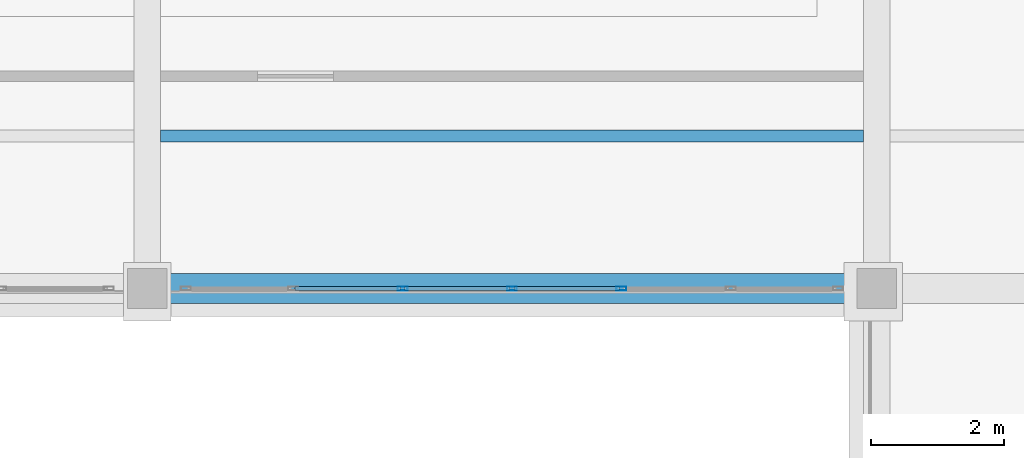
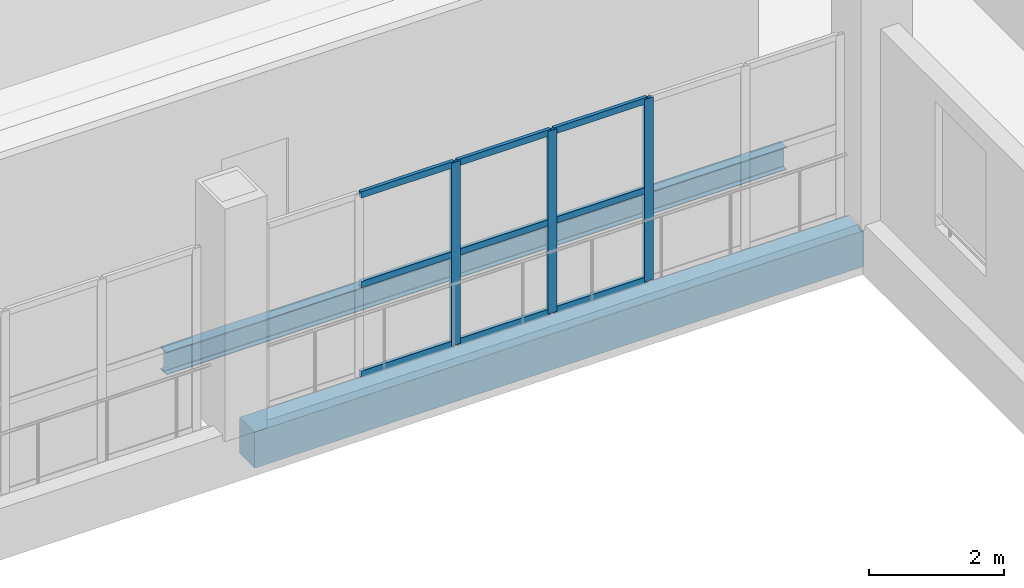
# One storey, part 67 of 120: 12 members, 2 beams, 1 element without a shape of its own.
"""IFC4 building model written with IfcOpenShell, lengths in metres."""

from ifc_helpers import new_model, si_unit, direction, frame, origin, origin_2d, place, context, subcontext, project, spatial, rectangle, hollow_rectangle, i_section, extrude, material, material_profile, profile_set, type_object, element, aggregate, save


model = new_model("IFC4")

# Units and contexts
model_context = context("Model", 3, precision=1e-05, world=origin(), true_north=direction((0.0, 1.0)))
body_context = subcontext(model_context, "Body", "Model", "MODEL_VIEW")
ifc_project = project(units=[si_unit("LENGTHUNIT", "METRE"), si_unit("AREAUNIT", "SQUARE_METRE"), si_unit("VOLUMEUNIT", "CUBIC_METRE"), si_unit("PLANEANGLEUNIT", "RADIAN"), si_unit("MASSUNIT", "GRAM", prefix="KILO")], contexts=[model_context])

# Site, building, storey
site_placement = place(None, origin())
site = spatial("IfcSite", under=ifc_project, at=site_placement, CompositionType="ELEMENT")
building_placement = place(site_placement, origin())
building = spatial("IfcBuilding", under=site, at=building_placement, Name="Caurita Quay Ferry Terminal", CompositionType="ELEMENT")
storey_placement = place(building_placement, frame((0.0, 0.0, 9.89990234375)))
storey = spatial("IfcBuildingStorey", under=building, at=storey_placement, Name="L02", CompositionType="ELEMENT", Elevation=9.89990234375)

# Beams
ifc_material_1 = material(Name="Structural steel ASTM A992 Gr. 50", Category="steel")
ifc_material_profile_1 = material_profile(ifc_material_1, i_section(OverallWidth=0.1787109375, OverallDepth=0.408935546875, WebThickness=0.0087890625, FlangeThickness=0.014404296875, FilletRadius=0.011474609375, at=origin_2d()), Name="W16X45")
ifc_profile_set_1 = profile_set([ifc_material_profile_1], Name="Structural steel ASTM A992 Gr. 50")
beam_type_1 = type_object("IfcBeamType", Name="BM-JS-W16A", PredefinedType="JOIST", material=ifc_profile_set_1)
beam_1_placement = place(storey_placement, frame((55.199951171875, 110.10009765625, -0.42431640625), z_axis=(1.0, 0.0, 0.0), x_axis=(0.0, 1.0, 0.0)))
element("IfcBeam", 1, at=beam_1_placement, inside=storey, type_object=beam_type_1, Name="L02 Beam JS-V5-L02-039", PredefinedType="JOIST", context=body_context, shape_type="SweptSolid", body=[
    extrude(i_section(OverallWidth=0.1787109375, OverallDepth=0.408935546875, WebThickness=0.0087890625, FlangeThickness=0.014404296875, FilletRadius=0.011474609375, at=origin_2d()), origin(), (0.0, 0.0, 1.0), 10.60009765625),
])
ifc_material_2 = material(Name="Reinforced concrete C35/45", Category="concrete")
ifc_material_profile_2 = material_profile(ifc_material_2, rectangle(XDim=0.449951171875, YDim=0.64990234375, at=origin_2d()), Name="RC-BM-450X650")
ifc_profile_set_2 = profile_set([ifc_material_profile_2], Name="Reinforced concrete C35/45")
beam_type_2 = type_object("IfcBeamType", Name="BM-RC-4565", PredefinedType="BEAM", material=ifc_profile_set_2)
beam_2_placement = place(storey_placement, frame((55.297607421875, 107.800048828125, -0.544921875), z_axis=(1.0, 0.0, 0.0), x_axis=(0.0, 1.0, 0.0)))
element("IfcBeam", 2, at=beam_2_placement, inside=storey, type_object=beam_type_2, Name="L02 Beam BM-V5-L02-X-553-1078", PredefinedType="BEAM", context=body_context, shape_type="SweptSolid", body=[
    extrude(rectangle(XDim=0.449951171875, YDim=0.64990234375, at=origin_2d()), origin(), (0.0, 0.0, 1.0), 10.40478515625),
])

# Curtain wall, members
ifc_material_3 = material(Name="Laminated solar-control insulated glass", Category="glass")
curtain_wall_type = type_object("IfcCurtainWallType", Name="CW-SYS-24", PredefinedType="NOTDEFINED", material=ifc_material_3)
curtain_wall_placement = place(storey_placement, origin())
curtain_wall = element("IfcCurtainWall", 3, at=curtain_wall_placement, inside=storey, type_object=curtain_wall_type, Name="L02 Courtyard Cloister Storefront 171", PredefinedType="NOTDEFINED")
ifc_material_4 = material(Name="Anodized aluminium 6063-T6", Category="aluminium")
ifc_material_profile_3 = material_profile(ifc_material_4, hollow_rectangle(XDim=0.06005859375, YDim=0.14990234375, WallThickness=0.00341796875, at=origin_2d()), Name="ALU-MUL-60X150")
ifc_profile_set_3 = profile_set([ifc_material_profile_3], Name="Anodized aluminium 6063-T6")
member_type_1 = type_object("IfcMemberType", Name="CW-MUL-150", PredefinedType="MULLION", material=ifc_profile_set_3)
member_1_placement = place(storey_placement, frame((58.85009765625, 107.800048828125, 0.0), z_axis=(0.0, 0.0, 1.0), x_axis=(0.0, 1.0, 0.0)))
member_1 = element("IfcMember", 4, at=member_1_placement, type_object=member_type_1, Name="CW-CRT-171 Mullion 3", PredefinedType="MULLION", context=body_context, shape_type="SweptSolid", body=[
    extrude(hollow_rectangle(XDim=0.06005859375, YDim=0.14990234375, WallThickness=0.00341796875, at=origin_2d()), origin(), (0.0, 0.0, 1.0), 3.300048828125),
])
member_2_placement = place(storey_placement, frame((60.5, 107.800048828125, 0.0), z_axis=(0.0, 0.0, 1.0), x_axis=(0.0, 1.0, 0.0)))
member_2 = element("IfcMember", 5, at=member_2_placement, type_object=member_type_1, Name="CW-CRT-171 Mullion 4", PredefinedType="MULLION", context=body_context, shape_type="SweptSolid", body=[
    extrude(hollow_rectangle(XDim=0.06005859375, YDim=0.14990234375, WallThickness=0.00341796875, at=origin_2d()), origin(), (0.0, 0.0, 1.0), 3.300048828125),
])
member_3_placement = place(storey_placement, frame((62.14990234375, 107.800048828125, 0.0), z_axis=(0.0, 0.0, 1.0), x_axis=(0.0, 1.0, 0.0)))
member_3 = element("IfcMember", 6, at=member_3_placement, type_object=member_type_1, Name="CW-CRT-171 Mullion 5", PredefinedType="MULLION", context=body_context, shape_type="SweptSolid", body=[
    extrude(hollow_rectangle(XDim=0.06005859375, YDim=0.14990234375, WallThickness=0.00341796875, at=origin_2d()), origin(), (0.0, 0.0, 1.0), 3.300048828125),
])
ifc_material_profile_4 = material_profile(ifc_material_4, hollow_rectangle(XDim=0.06005859375, YDim=0.114990234375, WallThickness=0.00341796875, at=origin_2d()), Name="ALU-TRN-60X115")
ifc_profile_set_4 = profile_set([ifc_material_profile_4], Name="Anodized aluminium 6063-T6")
member_type_2 = type_object("IfcMemberType", Name="CW-TRN-115", PredefinedType="USERDEFINED", material=ifc_profile_set_4)
member_4_placement = place(storey_placement, frame((57.22802734375, 107.800048828125, 0.030029296875), z_axis=(1.0, 0.0, 0.0), x_axis=(0.0, 1.0, 0.0)))
member_4 = element("IfcMember", 7, at=member_4_placement, type_object=member_type_2, Name="CW-CRT-171 Transom 4", ObjectType="TRANSOM", PredefinedType="USERDEFINED", context=body_context, shape_type="SweptSolid", body=[
    extrude(hollow_rectangle(XDim=0.06005859375, YDim=0.114990234375, WallThickness=0.00341796875, at=origin_2d()), origin(), (0.0, 0.0, 1.0), 1.593994140625),
])
member_5_placement = place(storey_placement, frame((57.22802734375, 107.800048828125, 1.650146484375), z_axis=(1.0, 0.0, 0.0), x_axis=(0.0, 1.0, 0.0)))
member_5 = element("IfcMember", 8, at=member_5_placement, type_object=member_type_2, Name="CW-CRT-171 Transom 5", ObjectType="TRANSOM", PredefinedType="USERDEFINED", context=body_context, shape_type="SweptSolid", body=[
    extrude(hollow_rectangle(XDim=0.06005859375, YDim=0.114990234375, WallThickness=0.00341796875, at=origin_2d()), origin(), (0.0, 0.0, 1.0), 1.593994140625),
])
member_6_placement = place(storey_placement, frame((57.22802734375, 107.800048828125, 3.27001953125), z_axis=(1.0, 0.0, 0.0), x_axis=(0.0, 1.0, 0.0)))
member_6 = element("IfcMember", 9, at=member_6_placement, type_object=member_type_2, Name="CW-CRT-171 Transom 6", ObjectType="TRANSOM", PredefinedType="USERDEFINED", context=body_context, shape_type="SweptSolid", body=[
    extrude(hollow_rectangle(XDim=0.06005859375, YDim=0.114990234375, WallThickness=0.00341796875, at=origin_2d()), origin(), (0.0, 0.0, 1.0), 1.593994140625),
])
member_7_placement = place(storey_placement, frame((58.8779296875, 107.800048828125, 0.030029296875), z_axis=(1.0, 0.0, 0.0), x_axis=(0.0, 1.0, 0.0)))
member_7 = element("IfcMember", 10, at=member_7_placement, type_object=member_type_2, Name="CW-CRT-171 Transom 7", ObjectType="TRANSOM", PredefinedType="USERDEFINED", context=body_context, shape_type="SweptSolid", body=[
    extrude(hollow_rectangle(XDim=0.06005859375, YDim=0.114990234375, WallThickness=0.00341796875, at=origin_2d()), origin(), (0.0, 0.0, 1.0), 1.593994140625),
])
member_8_placement = place(storey_placement, frame((58.8779296875, 107.800048828125, 1.650146484375), z_axis=(1.0, 0.0, 0.0), x_axis=(0.0, 1.0, 0.0)))
member_8 = element("IfcMember", 11, at=member_8_placement, type_object=member_type_2, Name="CW-CRT-171 Transom 8", ObjectType="TRANSOM", PredefinedType="USERDEFINED", context=body_context, shape_type="SweptSolid", body=[
    extrude(hollow_rectangle(XDim=0.06005859375, YDim=0.114990234375, WallThickness=0.00341796875, at=origin_2d()), origin(), (0.0, 0.0, 1.0), 1.593994140625),
])
member_9_placement = place(storey_placement, frame((58.8779296875, 107.800048828125, 3.27001953125), z_axis=(1.0, 0.0, 0.0), x_axis=(0.0, 1.0, 0.0)))
member_9 = element("IfcMember", 12, at=member_9_placement, type_object=member_type_2, Name="CW-CRT-171 Transom 9", ObjectType="TRANSOM", PredefinedType="USERDEFINED", context=body_context, shape_type="SweptSolid", body=[
    extrude(hollow_rectangle(XDim=0.06005859375, YDim=0.114990234375, WallThickness=0.00341796875, at=origin_2d()), origin(), (0.0, 0.0, 1.0), 1.593994140625),
])
member_10_placement = place(storey_placement, frame((60.528076171875, 107.800048828125, 0.030029296875), z_axis=(1.0, 0.0, 0.0), x_axis=(0.0, 1.0, 0.0)))
member_10 = element("IfcMember", 13, at=member_10_placement, type_object=member_type_2, Name="CW-CRT-171 Transom 10", ObjectType="TRANSOM", PredefinedType="USERDEFINED", context=body_context, shape_type="SweptSolid", body=[
    extrude(hollow_rectangle(XDim=0.06005859375, YDim=0.114990234375, WallThickness=0.00341796875, at=origin_2d()), origin(), (0.0, 0.0, 1.0), 1.593994140625),
])
member_11_placement = place(storey_placement, frame((60.528076171875, 107.800048828125, 1.650146484375), z_axis=(1.0, 0.0, 0.0), x_axis=(0.0, 1.0, 0.0)))
member_11 = element("IfcMember", 14, at=member_11_placement, type_object=member_type_2, Name="CW-CRT-171 Transom 11", ObjectType="TRANSOM", PredefinedType="USERDEFINED", context=body_context, shape_type="SweptSolid", body=[
    extrude(hollow_rectangle(XDim=0.06005859375, YDim=0.114990234375, WallThickness=0.00341796875, at=origin_2d()), origin(), (0.0, 0.0, 1.0), 1.593994140625),
])
member_12_placement = place(storey_placement, frame((60.528076171875, 107.800048828125, 3.27001953125), z_axis=(1.0, 0.0, 0.0), x_axis=(0.0, 1.0, 0.0)))
member_12 = element("IfcMember", 15, at=member_12_placement, type_object=member_type_2, Name="CW-CRT-171 Transom 12", ObjectType="TRANSOM", PredefinedType="USERDEFINED", context=body_context, shape_type="SweptSolid", body=[
    extrude(hollow_rectangle(XDim=0.06005859375, YDim=0.114990234375, WallThickness=0.00341796875, at=origin_2d()), origin(), (0.0, 0.0, 1.0), 1.593994140625),
])
aggregate(curtain_wall, [member_1, member_2, member_3, member_4, member_5, member_6, member_7, member_8, member_9, member_10, member_11, member_12])

save(model, "model.ifc")
